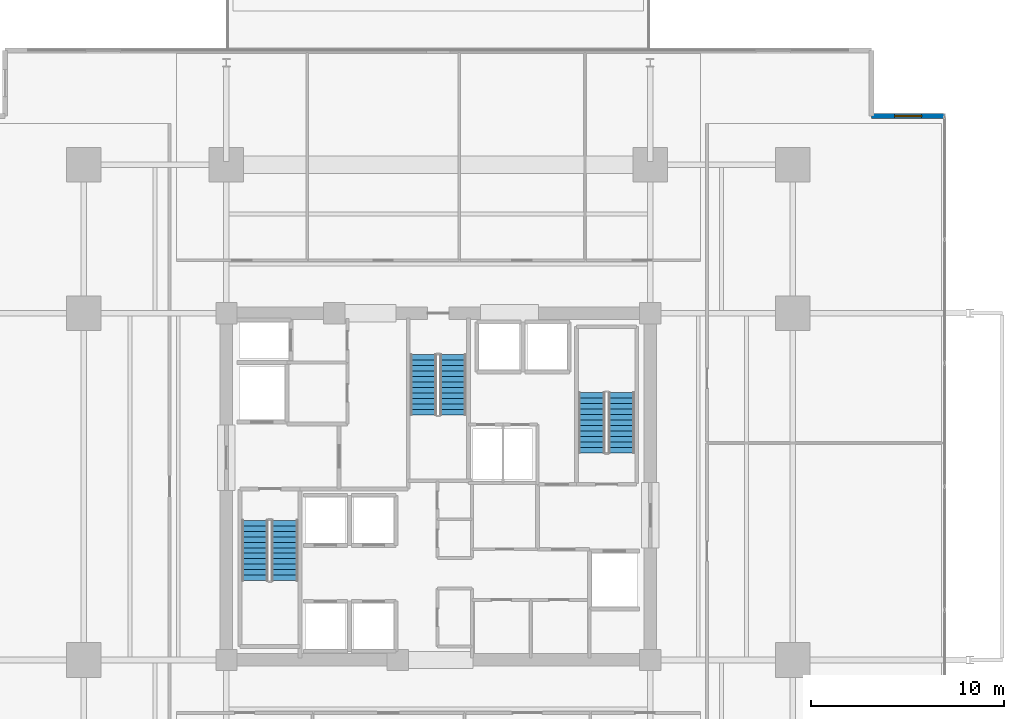
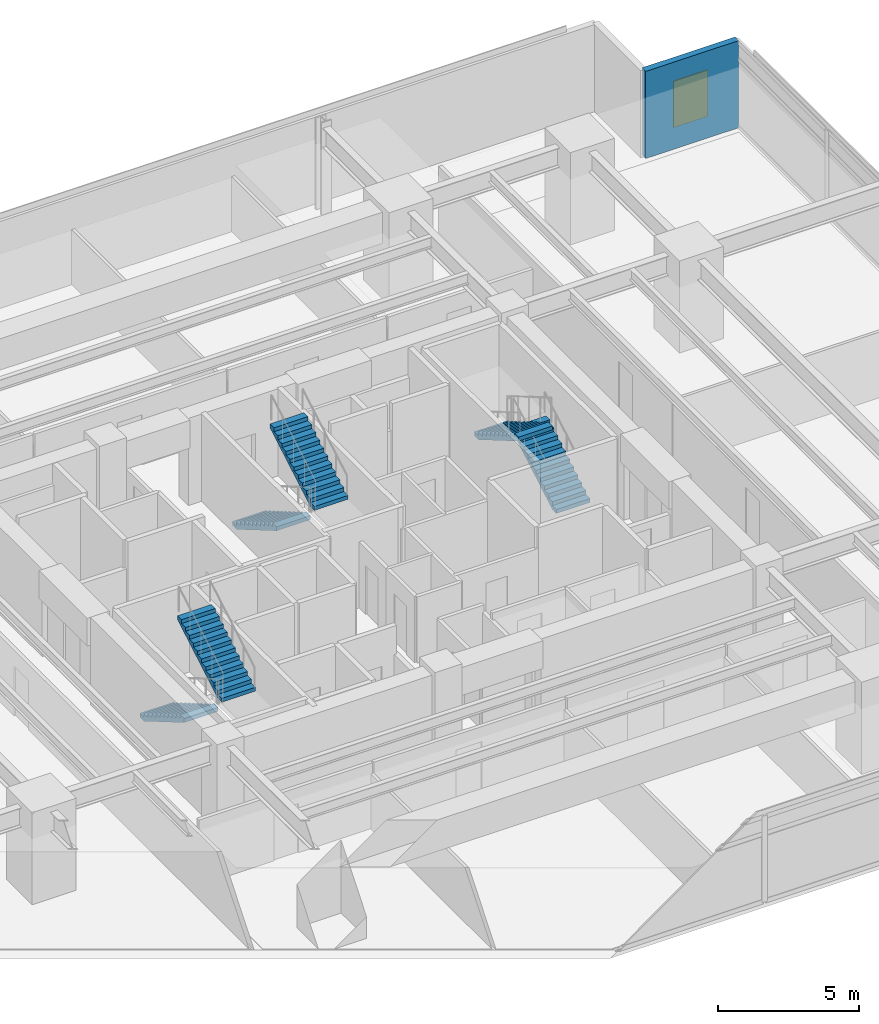
# One storey, part 15 of 19: 6 stair flights, 1 wall, 1 window, 1 opening, 3 elements without a shape of their own.
"""IFC4 building model written with IfcOpenShell, lengths in metres."""

from ifc_helpers import new_model, si_unit, direction, frame, frame_2d, origin, place, context, subcontext, project, spatial, polyline, rectangle, outline, extrude, material, layer, layer_set, type_object, element, fill, aggregate, save


model = new_model("IFC4")

# Units and contexts
model_context = context("Model", 3, precision=1e-05, world=origin(), true_north=direction((0.0, 1.0)))
body_context = subcontext(model_context, "Body", "Model", "MODEL_VIEW")
ifc_project = project(units=[si_unit("LENGTHUNIT", "METRE"), si_unit("AREAUNIT", "SQUARE_METRE"), si_unit("VOLUMEUNIT", "CUBIC_METRE"), si_unit("PLANEANGLEUNIT", "RADIAN"), si_unit("MASSUNIT", "GRAM", prefix="KILO")], contexts=[model_context])

# Site, building, storey
site_placement = place(None, origin())
site = spatial("IfcSite", under=ifc_project, at=site_placement, CompositionType="ELEMENT")
building_placement = place(site_placement, origin())
building = spatial("IfcBuilding", under=site, at=building_placement, Name="Kovane Verandah Tower", CompositionType="ELEMENT")
storey_placement = place(building_placement, frame((0.0, 0.0, 83.60009765625)))
storey = spatial("IfcBuildingStorey", under=building, at=storey_placement, Name="L19", CompositionType="ELEMENT", Elevation=83.60009765625)

# Wall, opening, window
ifc_material_1 = material(Name="Concrete C45/55 Insulated Spandrel Wall", Category="concrete")
ifc_layer = layer(ifc_material_1, 0.260009765625)
ifc_layer_set = layer_set([ifc_layer], Name="Concrete C45/55 Insulated Spandrel Wall")
wall_type = type_object("IfcWallType", Name="WL-SPANDREL-260", PredefinedType="PARAPET", material=ifc_layer_set)
wall_placement = place(storey_placement, frame((66.28466796875, 46.7392578125, 0.0), z_axis=(0.0, 0.0, 1.0), x_axis=(-1.0, 0.0, 0.0)))
wall = element("IfcWall", 1, at=wall_placement, inside=storey, type_object=wall_type, Name="L19 NE Notch Cheek Wall 1", PredefinedType="PARAPET", context=body_context, shape_type="SweptSolid", body=[
    extrude(rectangle(XDim=3.800048828125, YDim=0.260009765625, at=frame_2d((1.89990234375, 0.0))), origin(), (0.0, 0.0, 1.0), 3.760009765625),
])
opening_placement = place(wall_placement, frame((1.199951171875, 0.0, 0.85009765625)))
opening = element("IfcOpeningElement", 2, at=opening_placement, cuts=wall, Name="Opening W-01", PredefinedType="OPENING", context=body_context, shape_type="SweptSolid", body=[
    extrude(rectangle(XDim=1.39990234375, YDim=2.0, at=frame_2d((0.699951171875, 1.0))), frame((0.0, 0.1298828125, 0.0), z_axis=(0.0, -1.0, 0.0), x_axis=(1.0, 0.0, 0.0)), (0.0, 0.0, 1.0), 0.260009765625),
])
ifc_material_2 = material(Name="Clear Low-E Laminated Double Glazing in Anodised Frame", Category="glass")
window_type = type_object("IfcWindowType", Name="WN-OPER-1400x2000", PartitioningType="SINGLE_PANEL", PredefinedType="WINDOW", material=ifc_material_2)
window_placement = place(opening_placement, origin())
window = element("IfcWindow", 3, at=window_placement, inside=storey, type_object=window_type, Name="L19 NE Re-Entrant Corner Operable Window", OverallHeight=2.0, OverallWidth=1.39990234375, PartitioningType="SINGLE_PANEL", PredefinedType="WINDOW", context=body_context, shape_type="SweptSolid", body=[
    extrude(rectangle(XDim=1.39990234375, YDim=2.0, at=frame_2d((0.699951171875, 1.0))), frame((0.0, 0.030029296875, 0.0), z_axis=(0.0, -1.0, 0.0), x_axis=(1.0, 0.0, 0.0)), (0.0, 0.0, 1.0), 0.06005859375),
])
fill(opening, window)

# Stair, stair flights
ifc_material_3 = material(Name="Concrete C45/55", Category="concrete")
stair_type = type_object("IfcStairType", Name="ST-CORE-1380", PredefinedType="HALF_TURN_STAIR", material=ifc_material_3)
stair_1_placement = place(storey_placement, origin())
stair_1 = element("IfcStair", 4, at=stair_1_placement, inside=storey, type_object=stair_type, Name="L19 Exit Stair ST-01", PredefinedType="HALF_TURN_STAIR")
stair_flight_type = type_object("IfcStairFlightType", Name="STF-CORE-1380", PredefinedType="STRAIGHT", material=ifc_material_3)
stair_flight_1_placement = place(storey_placement, frame((30.489990234375, 25.75, 0.0), z_axis=(0.0, 0.0, 1.0), x_axis=(0.0, -1.0, 0.0)))
stair_flight_1 = element("IfcStairFlight", 5, at=stair_flight_1_placement, type_object=stair_flight_type, Name="ST-01 flight 1", NumberOfRisers=12, NumberOfTreads=11, PredefinedType="STRAIGHT", RiserHeight=0.166666667, TreadLength=0.285, context=body_context, shape_type="SweptSolid", body=[
    extrude(outline(polyline([(0.0, 0.0), (0.0, 0.166748046875), (0.284912109375, 0.166748046875), (0.284912109375, 0.333251953125), (0.570068359375, 0.333251953125), (0.570068359375, 0.5), (0.85498046875, 0.5), (0.85498046875, 0.666748046875), (1.139892578125, 0.666748046875), (1.139892578125, 0.833251953125), (1.425048828125, 0.833251953125), (1.425048828125, 1.0), (1.7099609375, 1.0), (1.7099609375, 1.166748046875), (1.9951171875, 1.166748046875), (1.9951171875, 1.333251953125), (2.280029296875, 1.333251953125), (2.280029296875, 1.5), (2.56494140625, 1.5), (2.56494140625, 1.666748046875), (2.85009765625, 1.666748046875), (2.85009765625, 1.833251953125), (3.135009765625, 1.833251953125), (3.135009765625, 2.0), (3.135009765625, 1.65966796875), (0.296875, 0.0), (0.0, 0.0)])), frame((0.0, 0.68994140625, 0.0), z_axis=(0.0, -1.0, 0.0), x_axis=(1.0, 0.0, 0.0)), (0.0, 0.0, 1.0), 1.3798828125),
])
stair_flight_2_placement = place(storey_placement, frame((32.030029296875, 22.614990234375, 2.0), z_axis=(0.0, 0.0, 1.0), x_axis=(0.0, 1.0, 0.0)))
stair_flight_2 = element("IfcStairFlight", 6, at=stair_flight_2_placement, type_object=stair_flight_type, Name="ST-01 flight 2", NumberOfRisers=12, NumberOfTreads=11, PredefinedType="STRAIGHT", RiserHeight=0.166666667, TreadLength=0.285, context=body_context, shape_type="SweptSolid", body=[
    extrude(outline(polyline([(0.0, 0.0), (0.0, 0.166748046875), (0.284912109375, 0.166748046875), (0.284912109375, 0.333251953125), (0.570068359375, 0.333251953125), (0.570068359375, 0.5), (0.85498046875, 0.5), (0.85498046875, 0.666748046875), (1.139892578125, 0.666748046875), (1.139892578125, 0.833251953125), (1.425048828125, 0.833251953125), (1.425048828125, 1.0), (1.7099609375, 1.0), (1.7099609375, 1.166748046875), (1.9951171875, 1.166748046875), (1.9951171875, 1.333251953125), (2.280029296875, 1.333251953125), (2.280029296875, 1.5), (2.56494140625, 1.5), (2.56494140625, 1.666748046875), (2.85009765625, 1.666748046875), (2.85009765625, 1.833251953125), (3.135009765625, 1.833251953125), (3.135009765625, 2.0), (3.135009765625, 1.65966796875), (0.296875, 0.0), (0.0, 0.0)])), frame((0.0, 0.68994140625, 0.0), z_axis=(0.0, -1.0, 0.0), x_axis=(1.0, 0.0, 0.0)), (0.0, 0.0, 1.0), 1.3798828125),
])
aggregate(stair_1, [stair_flight_1, stair_flight_2])

stair_2_placement = place(storey_placement, origin())
stair_2 = element("IfcStair", 7, at=stair_2_placement, inside=storey, type_object=stair_type, Name="L19 Exit Stair ST-02", PredefinedType="HALF_TURN_STAIR")
stair_flight_3_placement = place(storey_placement, frame((49.510009765625, 29.25, 0.0), z_axis=(0.0, 0.0, 1.0), x_axis=(0.0, 1.0, 0.0)))
stair_flight_3 = element("IfcStairFlight", 8, at=stair_flight_3_placement, type_object=stair_flight_type, Name="ST-02 flight 1", NumberOfRisers=12, NumberOfTreads=11, PredefinedType="STRAIGHT", RiserHeight=0.166666667, TreadLength=0.285, context=body_context, shape_type="SweptSolid", body=[
    extrude(outline(polyline([(0.0, 0.0), (0.0, 0.166748046875), (0.284912109375, 0.166748046875), (0.284912109375, 0.333251953125), (0.570068359375, 0.333251953125), (0.570068359375, 0.5), (0.85498046875, 0.5), (0.85498046875, 0.666748046875), (1.139892578125, 0.666748046875), (1.139892578125, 0.833251953125), (1.425048828125, 0.833251953125), (1.425048828125, 1.0), (1.7099609375, 1.0), (1.7099609375, 1.166748046875), (1.9951171875, 1.166748046875), (1.9951171875, 1.333251953125), (2.280029296875, 1.333251953125), (2.280029296875, 1.5), (2.56494140625, 1.5), (2.56494140625, 1.666748046875), (2.85009765625, 1.666748046875), (2.85009765625, 1.833251953125), (3.135009765625, 1.833251953125), (3.135009765625, 2.0), (3.135009765625, 1.65966796875), (0.296875, 0.0), (0.0, 0.0)])), frame((0.0, 0.68994140625, 0.0), z_axis=(0.0, -1.0, 0.0), x_axis=(1.0, 0.0, 0.0)), (0.0, 0.0, 1.0), 1.3798828125),
])
stair_flight_4_placement = place(storey_placement, frame((47.969970703125, 32.385009765625, 2.0), z_axis=(0.0, 0.0, 1.0), x_axis=(0.0, -1.0, 0.0)))
stair_flight_4 = element("IfcStairFlight", 9, at=stair_flight_4_placement, type_object=stair_flight_type, Name="ST-02 flight 2", NumberOfRisers=12, NumberOfTreads=11, PredefinedType="STRAIGHT", RiserHeight=0.166666667, TreadLength=0.285, context=body_context, shape_type="SweptSolid", body=[
    extrude(outline(polyline([(0.0, 0.0), (0.0, 0.166748046875), (0.284912109375, 0.166748046875), (0.284912109375, 0.333251953125), (0.570068359375, 0.333251953125), (0.570068359375, 0.5), (0.85498046875, 0.5), (0.85498046875, 0.666748046875), (1.139892578125, 0.666748046875), (1.139892578125, 0.833251953125), (1.425048828125, 0.833251953125), (1.425048828125, 1.0), (1.7099609375, 1.0), (1.7099609375, 1.166748046875), (1.9951171875, 1.166748046875), (1.9951171875, 1.333251953125), (2.280029296875, 1.333251953125), (2.280029296875, 1.5), (2.56494140625, 1.5), (2.56494140625, 1.666748046875), (2.85009765625, 1.666748046875), (2.85009765625, 1.833251953125), (3.135009765625, 1.833251953125), (3.135009765625, 2.0), (3.135009765625, 1.65966796875), (0.296875, 0.0), (0.0, 0.0)])), frame((0.0, 0.68994140625, 0.0), z_axis=(0.0, -1.0, 0.0), x_axis=(1.0, 0.0, 0.0)), (0.0, 0.0, 1.0), 1.3798828125),
])
aggregate(stair_2, [stair_flight_3, stair_flight_4])

stair_3_placement = place(storey_placement, origin())
stair_3 = element("IfcStair", 10, at=stair_3_placement, inside=storey, type_object=stair_type, Name="L19 Exit Stair ST-03", PredefinedType="HALF_TURN_STAIR")
stair_flight_5_placement = place(storey_placement, frame((39.22998046875, 34.35009765625, 0.0), z_axis=(0.0, 0.0, 1.0), x_axis=(0.0, -1.0, 0.0)))
stair_flight_5 = element("IfcStairFlight", 11, at=stair_flight_5_placement, type_object=stair_flight_type, Name="ST-03 flight 1", NumberOfRisers=12, NumberOfTreads=11, PredefinedType="STRAIGHT", RiserHeight=0.166666667, TreadLength=0.285, context=body_context, shape_type="SweptSolid", body=[
    extrude(outline(polyline([(0.0, 0.0), (0.0, 0.166748046875), (0.284912109375, 0.166748046875), (0.284912109375, 0.333251953125), (0.570068359375, 0.333251953125), (0.570068359375, 0.5), (0.85498046875, 0.5), (0.85498046875, 0.666748046875), (1.139892578125, 0.666748046875), (1.139892578125, 0.833251953125), (1.425048828125, 0.833251953125), (1.425048828125, 1.0), (1.7099609375, 1.0), (1.7099609375, 1.166748046875), (1.9951171875, 1.166748046875), (1.9951171875, 1.333251953125), (2.280029296875, 1.333251953125), (2.280029296875, 1.5), (2.56494140625, 1.5), (2.56494140625, 1.666748046875), (2.85009765625, 1.666748046875), (2.85009765625, 1.833251953125), (3.135009765625, 1.833251953125), (3.135009765625, 2.0), (3.135009765625, 1.65966796875), (0.296875, 0.0), (0.0, 0.0)])), frame((0.0, 0.68994140625, 0.0), z_axis=(0.0, -1.0, 0.0), x_axis=(1.0, 0.0, 0.0)), (0.0, 0.0, 1.0), 1.3798828125),
])
stair_flight_6_placement = place(storey_placement, frame((40.77001953125, 31.215087890625, 2.0), z_axis=(0.0, 0.0, 1.0), x_axis=(0.0, 1.0, 0.0)))
stair_flight_6 = element("IfcStairFlight", 12, at=stair_flight_6_placement, type_object=stair_flight_type, Name="ST-03 flight 2", NumberOfRisers=12, NumberOfTreads=11, PredefinedType="STRAIGHT", RiserHeight=0.166666667, TreadLength=0.285, context=body_context, shape_type="SweptSolid", body=[
    extrude(outline(polyline([(0.0, 0.0), (0.0, 0.166748046875), (0.284912109375, 0.166748046875), (0.284912109375, 0.333251953125), (0.570068359375, 0.333251953125), (0.570068359375, 0.5), (0.85498046875, 0.5), (0.85498046875, 0.666748046875), (1.139892578125, 0.666748046875), (1.139892578125, 0.833251953125), (1.425048828125, 0.833251953125), (1.425048828125, 1.0), (1.7099609375, 1.0), (1.7099609375, 1.166748046875), (1.9951171875, 1.166748046875), (1.9951171875, 1.333251953125), (2.280029296875, 1.333251953125), (2.280029296875, 1.5), (2.56494140625, 1.5), (2.56494140625, 1.666748046875), (2.85009765625, 1.666748046875), (2.85009765625, 1.833251953125), (3.135009765625, 1.833251953125), (3.135009765625, 2.0), (3.135009765625, 1.65966796875), (0.296875, 0.0), (0.0, 0.0)])), frame((0.0, 0.68994140625, 0.0), z_axis=(0.0, -1.0, 0.0), x_axis=(1.0, 0.0, 0.0)), (0.0, 0.0, 1.0), 1.3798828125),
])
aggregate(stair_3, [stair_flight_5, stair_flight_6])

save(model, "model.ifc")
